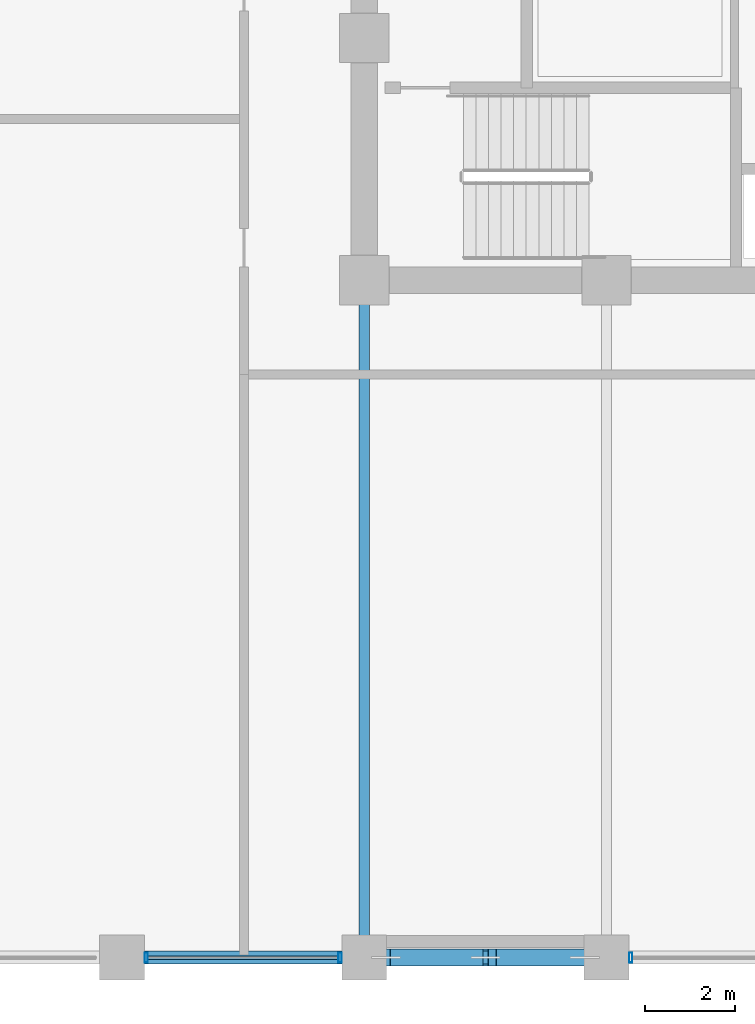
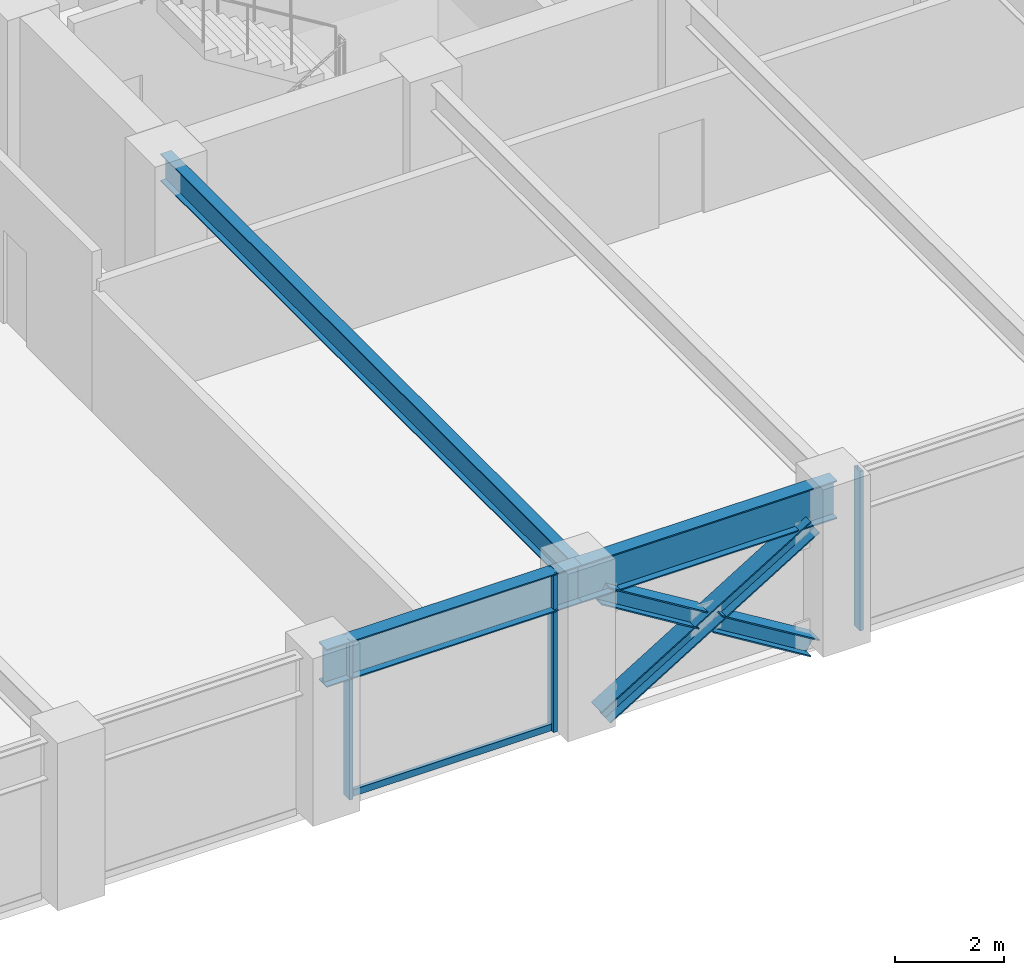
# One storey, part 4 of 23: 7 members, 3 beams, 2 elements without a shape of their own.
"""IFC4 building model written with IfcOpenShell, lengths in metres."""

from ifc_helpers import new_model, si_unit, direction, frame, origin, origin_2d, place, context, subcontext, project, spatial, hollow_rectangle, i_section, extrude, material, layer, layer_set, material_profile, profile_set, type_object, element, aggregate, save


model = new_model("IFC4")

# Units and contexts
model_context = context("Model", 3, precision=1e-05, world=origin(), true_north=direction((0.0, 1.0)))
body_context = subcontext(model_context, "Body", "Model", "MODEL_VIEW")
ifc_project = project(units=[si_unit("LENGTHUNIT", "METRE"), si_unit("AREAUNIT", "SQUARE_METRE"), si_unit("VOLUMEUNIT", "CUBIC_METRE"), si_unit("PLANEANGLEUNIT", "RADIAN"), si_unit("MASSUNIT", "GRAM", prefix="KILO")], contexts=[model_context])

# Site, building, storey
site_placement = place(None, origin())
site = spatial("IfcSite", under=ifc_project, at=site_placement, CompositionType="ELEMENT")
building_placement = place(site_placement, origin())
building = spatial("IfcBuilding", under=site, at=building_placement, Name="Surkhivell Harbour Commons", CompositionType="ELEMENT")
storey_placement = place(building_placement, frame((0.0, 0.0, 135.75)))
storey = spatial("IfcBuildingStorey", under=building, at=storey_placement, Name="L35", CompositionType="ELEMENT", Elevation=135.75)

# Beams
ifc_material_1 = material(Name="Steel S355", Category="steel")
ifc_material_profile_1 = material_profile(ifc_material_1, i_section(OverallWidth=0.22998046875, OverallDepth=0.616943359375, WebThickness=0.01318359375, FlangeThickness=0.022216796875, at=origin_2d()), Name="UB610x229x140")
ifc_profile_set_1 = profile_set([ifc_material_profile_1], Name="Steel S355")
beam_type_1 = type_object("IfcBeamType", Name="BM-GRD-610B", PredefinedType="BEAM", material=ifc_profile_set_1)
beam_1_placement = place(storey_placement, frame((-10.800048828125, -25.89990234375, 3.261474609375), z_axis=(0.0, 1.0, 0.0), x_axis=(-1.0, 0.0, 0.0)))
element("IfcBeam", 1, at=beam_1_placement, inside=storey, type_object=beam_type_1, Name="L35 Floor Girder (-10.8,-25.9)", PredefinedType="BEAM", context=body_context, shape_type="SweptSolid", body=[
    extrude(i_section(OverallWidth=0.22998046875, OverallDepth=0.616943359375, WebThickness=0.01318359375, FlangeThickness=0.022216796875, at=origin_2d()), origin(), (0.0, 0.0, 1.0), 15.099853515625),
])
ifc_material_2 = material(Name="Steel S460", Category="steel")
ifc_material_profile_2 = material_profile(ifc_material_2, i_section(OverallWidth=0.2939453125, OverallDepth=0.85107421875, WebThickness=0.01611328125, FlangeThickness=0.02685546875, at=origin_2d()), Name="UB838x292x226")
ifc_profile_set_2 = profile_set([ifc_material_profile_2], Name="Steel S460")
beam_type_2 = type_object("IfcBeamType", Name="BM-SPN-838", PredefinedType="SPANDREL", material=ifc_profile_set_2)
beam_2_placement = place(storey_placement, frame((-16.199951171875, -25.89990234375, 3.14453125), z_axis=(1.0, 0.0, 0.0), x_axis=(0.0, 1.0, 0.0)))
element("IfcBeam", 2, at=beam_2_placement, inside=storey, type_object=beam_type_2, Name="L35 Tube Spandrel (-16.2,-25.9)", PredefinedType="SPANDREL", context=body_context, shape_type="SweptSolid", body=[
    extrude(i_section(OverallWidth=0.2939453125, OverallDepth=0.85107421875, WebThickness=0.01611328125, FlangeThickness=0.02685546875, at=origin_2d()), origin(), (0.0, 0.0, 1.0), 5.39990234375),
])
beam_3_placement = place(storey_placement, frame((-10.800048828125, -25.89990234375, 3.14453125), z_axis=(1.0, 0.0, 0.0), x_axis=(0.0, 1.0, 0.0)))
element("IfcBeam", 3, at=beam_3_placement, inside=storey, type_object=beam_type_2, Name="L35 Tube Spandrel (-10.8,-25.9)", PredefinedType="SPANDREL", context=body_context, shape_type="SweptSolid", body=[
    extrude(i_section(OverallWidth=0.2939453125, OverallDepth=0.85107421875, WebThickness=0.01611328125, FlangeThickness=0.02685546875, at=origin_2d()), origin(), (0.0, 0.0, 1.0), 5.400146484375),
])

# Curtain wall, members
ifc_material_3 = material(Name="Anodised pale-metal aluminium and insulated glazing", Category="aluminium")
ifc_layer = layer(ifc_material_3, 0.205078125)
ifc_layer_set = layer_set([ifc_layer], Name="Anodised pale-metal aluminium and insulated glazing")
curtain_wall_type = type_object("IfcCurtainWallType", Name="CW-SYS-Z2", PredefinedType="NOTDEFINED", material=ifc_layer_set)
curtain_wall_1_placement = place(storey_placement, origin())
curtain_wall_1 = element("IfcCurtainWall", 4, at=curtain_wall_1_placement, inside=storey, type_object=curtain_wall_type, Name="L35 Curtain Wall CW-L35-E00S1", PredefinedType="NOTDEFINED")
ifc_material_4 = material(Name="Anodised pale-metal aluminium alloy 6063-T6", Category="aluminium")
ifc_material_profile_3 = material_profile(ifc_material_4, hollow_rectangle(XDim=0.074951171875, YDim=0.219970703125, WallThickness=0.00390625, at=origin_2d()), Name="ALU-MULL-75x220")
ifc_profile_set_3 = profile_set([ifc_material_profile_3], Name="Anodised pale-metal aluminium alloy 6063-T6")
member_type_1 = type_object("IfcMemberType", Name="CWM-220", PredefinedType="MULLION", material=ifc_profile_set_3)
member_1_placement = place(storey_placement, frame((-15.660400390625, -25.89990234375, 0.0), z_axis=(0.0, 0.0, 1.0), x_axis=(1.0, 0.0, 0.0)))
member_1 = element("IfcMember", 5, at=member_1_placement, type_object=member_type_1, Name="CW-Z2 mullion 3", PredefinedType="MULLION", context=body_context, shape_type="SweptSolid", body=[
    extrude(hollow_rectangle(XDim=0.074951171875, YDim=0.219970703125, WallThickness=0.00390625, at=origin_2d()), origin(), (0.0, 0.0, 1.0), 3.570068359375),
])
member_2_placement = place(storey_placement, frame((-11.339599609375, -25.89990234375, 0.0), z_axis=(0.0, 0.0, 1.0), x_axis=(1.0, 0.0, 0.0)))
member_2 = element("IfcMember", 6, at=member_2_placement, type_object=member_type_1, Name="CW-Z2 mullion 4", PredefinedType="MULLION", context=body_context, shape_type="SweptSolid", body=[
    extrude(hollow_rectangle(XDim=0.074951171875, YDim=0.219970703125, WallThickness=0.00390625, at=origin_2d()), origin(), (0.0, 0.0, 1.0), 3.570068359375),
])

# Curtain wall, member
curtain_wall_2_placement = place(storey_placement, origin())
curtain_wall_2 = element("IfcCurtainWall", 7, at=curtain_wall_2_placement, inside=storey, type_object=curtain_wall_type, Name="L35 Curtain Wall CW-L35-E00S2", PredefinedType="NOTDEFINED")
member_3_placement = place(storey_placement, frame((-4.860595703125, -25.89990234375, 0.0), z_axis=(0.0, 0.0, 1.0), x_axis=(1.0, 0.0, 0.0)))
member_3 = element("IfcMember", 8, at=member_3_placement, type_object=member_type_1, Name="CW-Z2 mullion 1", PredefinedType="MULLION", context=body_context, shape_type="SweptSolid", body=[
    extrude(hollow_rectangle(XDim=0.074951171875, YDim=0.219970703125, WallThickness=0.00390625, at=origin_2d()), origin(), (0.0, 0.0, 1.0), 3.570068359375),
])
aggregate(curtain_wall_2, [member_3])

# Member
ifc_material_profile_4 = material_profile(ifc_material_4, hollow_rectangle(XDim=0.074951171875, YDim=0.14990234375, WallThickness=0.00341796875, at=origin_2d()), Name="ALU-TRAN-75x150")
ifc_profile_set_4 = profile_set([ifc_material_profile_4], Name="Anodised pale-metal aluminium alloy 6063-T6")
member_type_2 = type_object("IfcMemberType", Name="CWT-150", PredefinedType="USERDEFINED", material=ifc_profile_set_4)
member_4_placement = place(storey_placement, frame((-15.623046875, -25.89990234375, 0.074951171875), z_axis=(1.0, 0.0, 0.0), x_axis=(0.0, 1.0, 0.0)))
member_4 = element("IfcMember", 9, at=member_4_placement, type_object=member_type_2, Name="CW-Z2 transom 3.1", ObjectType="TRANSOM", PredefinedType="USERDEFINED", context=body_context, shape_type="SweptSolid", body=[
    extrude(hollow_rectangle(XDim=0.074951171875, YDim=0.14990234375, WallThickness=0.00341796875, at=origin_2d()), origin(), (0.0, 0.0, 1.0), 4.24609375),
])

aggregate(curtain_wall_1, [member_1, member_2, member_4])

# Members
ifc_material_profile_5 = material_profile(ifc_material_2, i_section(OverallWidth=0.375, OverallDepth=0.375, WebThickness=0.0166015625, FlangeThickness=0.027099609375, at=origin_2d()), Name="UC356x368x202")
ifc_profile_set_5 = profile_set([ifc_material_profile_5], Name="Steel S460")
member_type_3 = type_object("IfcMemberType", Name="MEM-BRC-UC356", PredefinedType="BRACE", material=ifc_profile_set_5)
member_5_placement = place(storey_placement, frame((-10.31494140625, -25.89990234375, 0.008056640625), z_axis=(0.852624888477, 0.0, 0.522523491864), x_axis=(0.0, 1.0, 0.0)))
element("IfcMember", 10, at=member_5_placement, inside=storey, type_object=member_type_3, Name="L35 Perimeter Mega-Brace MB- 07", PredefinedType="BRACE", context=body_context, shape_type="SweptSolid", body=[
    extrude(i_section(OverallWidth=0.375, OverallDepth=0.375, WebThickness=0.0166015625, FlangeThickness=0.027099609375, at=origin_2d()), origin(), (0.0, 0.0, 1.0), 5.195556640625),
])
member_6_placement = place(storey_placement, frame((-5.885009765625, -25.89990234375, 0.008056640625), z_axis=(-0.852617215241, 0.0, 0.52253601242), x_axis=(0.0, -1.0, 0.0)))
element("IfcMember", 11, at=member_6_placement, inside=storey, type_object=member_type_3, Name="L35 Perimeter Mega-Brace MB- 08", PredefinedType="BRACE", context=body_context, shape_type="SweptSolid", body=[
    extrude(i_section(OverallWidth=0.375, OverallDepth=0.375, WebThickness=0.0166015625, FlangeThickness=0.027099609375, at=origin_2d()), origin(), (0.0, 0.0, 1.0), 2.41796875),
])
member_7_placement = place(storey_placement, frame((-8.25341796875, -25.89990234375, 1.459716796875), z_axis=(-0.852662200332, 0.0, 0.522462603567), x_axis=(0.0, -1.0, 0.0)))
element("IfcMember", 12, at=member_7_placement, inside=storey, type_object=member_type_3, Name="L35 Perimeter Mega-Brace MB- 09", PredefinedType="BRACE", context=body_context, shape_type="SweptSolid", body=[
    extrude(i_section(OverallWidth=0.375, OverallDepth=0.375, WebThickness=0.0166015625, FlangeThickness=0.027099609375, at=origin_2d()), origin(), (0.0, 0.0, 1.0), 2.417724609375),
])

save(model, "model.ifc")
